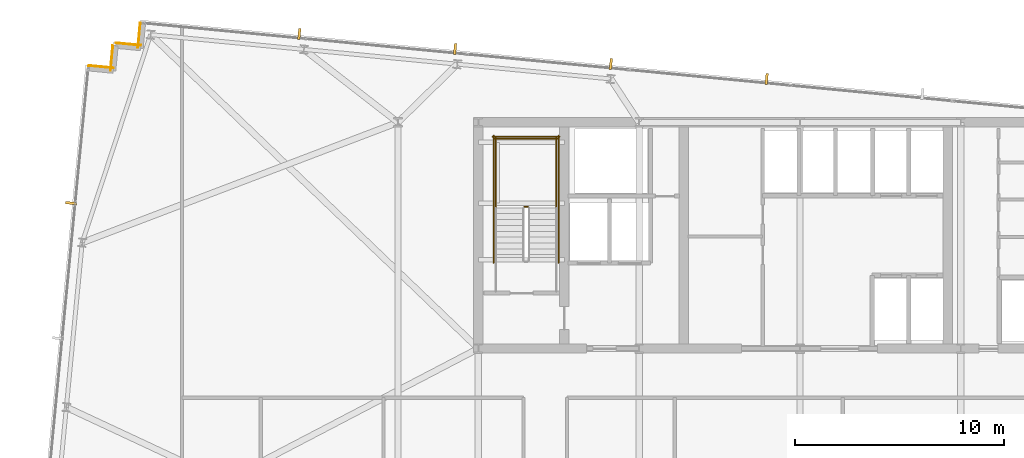
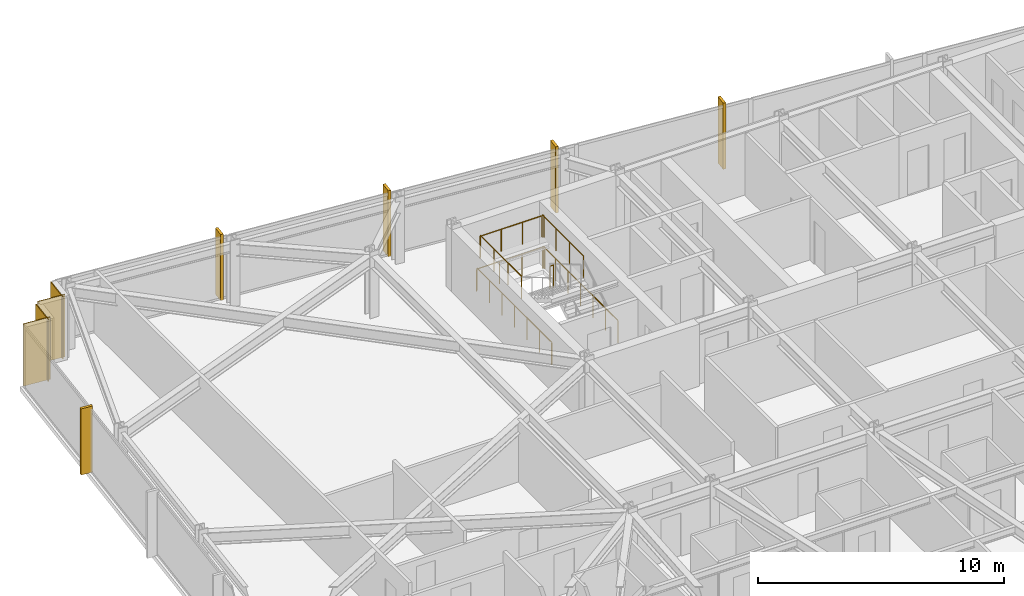
# One storey, part 36 of 37: 7 railings, 5 shading devices, 4 coverings.
"""IFC4 building model written with IfcOpenShell, lengths in metres."""

from ifc_helpers import new_model, si_unit, direction, frame, frame_2d, origin, origin_2d, place, context, subcontext, project, spatial, rectangle, circle, extrude, material, layer, layer_set, type_object, element, save


model = new_model("IFC4")

# Units and contexts
model_context = context("Model", 3, precision=1e-05, world=origin(), true_north=direction((0.0, 1.0)))
body_context = subcontext(model_context, "Body", "Model", "MODEL_VIEW")
ifc_project = project(units=[si_unit("LENGTHUNIT", "METRE"), si_unit("AREAUNIT", "SQUARE_METRE"), si_unit("VOLUMEUNIT", "CUBIC_METRE"), si_unit("PLANEANGLEUNIT", "RADIAN"), si_unit("MASSUNIT", "GRAM", prefix="KILO")], contexts=[model_context])

# Site, building, storey
site_placement = place(None, origin())
site = spatial("IfcSite", under=ifc_project, at=site_placement, CompositionType="ELEMENT")
building_placement = place(site_placement, origin())
building = spatial("IfcBuilding", under=site, at=building_placement, Name="Yelkora Congress Tower", CompositionType="ELEMENT")
storey_placement = place(building_placement, frame((0.0, 0.0, 158.89990234375)))
storey = spatial("IfcBuildingStorey", under=building, at=storey_placement, Name="L43", CompositionType="ELEMENT", Elevation=158.89990234375)

# Coverings
ifc_material_1 = material(Name="Anatolian bush-hammered limestone", Category="masonry")
ifc_layer_1 = layer(ifc_material_1, 0.0400390625)
ifc_layer_set_1 = layer_set([ifc_layer_1], Name="Anatolian bush-hammered limestone")
covering_type = type_object("IfcCoveringType", Name="COV-CLAD-SPANDREL-40", PredefinedType="CLADDING", material=ifc_layer_set_1)
for number, where, z_axis, x_axis, name in (
    (1, (4.423583984375, 48.9130859375, 0.0), (0.0, 0.0, 1.0), (0.995398960025, -0.095817067274, 0.0), "L43 Anatolian Limestone Cladding EW-L43-SR06"),
    (2, (5.470703125, 48.676513671875, 0.0), (0.0, 0.0, 1.0), (0.095817067274, 0.995398960025, 0.0), "L43 Anatolian Limestone Cladding EW-L43-SR07"),
):
    element("IfcCovering", number, at=place(storey_placement, frame(where, z_axis=z_axis, x_axis=x_axis)), inside=storey, type_object=covering_type, Name=name, PredefinedType="CLADDING", context=body_context, shape_type="SweptSolid", body=[
        extrude(rectangle(XDim=1.2001953125, YDim=0.0400390625, at=frame_2d((0.60009765625, 0.0))), origin(), (0.0, 0.0, 1.0), 3.080078125),
    ])
covering_1_placement = place(storey_placement, frame((5.733154296875, 49.992431640625, 0.0), z_axis=(0.0, 0.0, 1.0), x_axis=(0.995397091755, -0.095836473879, 0.0)))
element("IfcCovering", 3, at=covering_1_placement, inside=storey, type_object=covering_type, Name="L43 Anatolian Limestone Cladding EW-L43-SR08", PredefinedType="CLADDING", context=body_context, shape_type="SweptSolid", body=[
    extrude(rectangle(XDim=1.199951171875, YDim=0.0400390625, at=frame_2d((0.60009765625, 0.0))), origin(), (0.0, 0.0, 1.0), 3.080078125),
])
covering_2_placement = place(storey_placement, frame((6.780029296875, 49.756103515625, 0.0), z_axis=(0.0, 0.0, 1.0), x_axis=(0.096018626938, 0.995379537303, 0.0)))
element("IfcCovering", 4, at=covering_2_placement, inside=storey, type_object=covering_type, Name="L43 Anatolian Limestone Cladding EW-L43-SR09", PredefinedType="CLADDING", context=body_context, shape_type="SweptSolid", body=[
    extrude(rectangle(XDim=1.2001953125, YDim=0.0400390625, at=frame_2d((0.60009765625, 0.0))), origin(), (0.0, 0.0, 1.0), 3.080078125),
])

# Railings
ifc_material_2 = material(Name="Painted galvanised steel stair well guard with vertical infill", Category="steel")
ifc_layer_2 = layer(ifc_material_2, 0.06005859375)
ifc_layer_set_2 = layer_set([ifc_layer_2], Name="Painted galvanised steel stair well guard with vertical infill")
railing_type = type_object("IfcRailingType", Name="RAIL-STAIR-GUARD-1120", PredefinedType="GUARDRAIL", material=ifc_layer_set_2)
railing_1_placement = place(storey_placement, frame((25.39990234375, 42.169921875, 1.650146484375)))
element("IfcRailing", 5, at=railing_1_placement, inside=storey, type_object=railing_type, Name="ST-01 L43 Stair Well Guardrail 2", PredefinedType="GUARDRAIL", context=body_context, shape_type="SweptSolid", body=[
    extrude(circle(Radius=0.02392578125, at=origin_2d()), frame((0.0, 0.0, 1.09619140625), z_axis=(-1.0, 0.0, 0.0), x_axis=(0.0, -1.0, 0.0)), (0.0, 0.0, 1.0), 0.159912109375),
    extrude(circle(Radius=0.02099609375, at=origin_2d()), origin(), (0.0, 0.0, 1.0), 1.072021484375),
    extrude(circle(Radius=0.02099609375, at=origin_2d()), frame((-0.159912109375, 0.0, 0.0)), (0.0, 0.0, 1.0), 1.072021484375),
])
for number, where, name in (
    (6, (26.77001953125, 42.1201171875, 1.650146484375), "ST-01 L43 Stair Well Guardrail 3"),
    (7, (23.8701171875, 42.1201171875, 1.650146484375), "ST-01 L43 Stair Well Guardrail 4"),
):
    element("IfcRailing", number, at=place(storey_placement, frame(where)), inside=storey, type_object=railing_type, Name=name, PredefinedType="GUARDRAIL", context=body_context, shape_type="SweptSolid", body=[
        extrude(circle(Radius=0.02392578125, at=origin_2d()), frame((0.0, 0.0, 1.09619140625), z_axis=(0.0, 1.0, 0.0), x_axis=(-1.0, 0.0, 0.0)), (0.0, 0.0, 1.0), 3.349853515625),
        extrude(circle(Radius=0.02099609375, at=origin_2d()), origin(), (0.0, 0.0, 1.0), 1.072021484375),
        extrude(circle(Radius=0.02099609375, at=origin_2d()), frame((0.0, 1.11669921875, 0.0)), (0.0, 0.0, 1.0), 1.072021484375),
        extrude(circle(Radius=0.02099609375, at=origin_2d()), frame((0.0, 2.233154296875, 0.0)), (0.0, 0.0, 1.0), 1.072021484375),
        extrude(circle(Radius=0.02099609375, at=origin_2d()), frame((0.0, 3.349853515625, 0.0)), (0.0, 0.0, 1.0), 1.072021484375),
    ])
railing_2_placement = place(storey_placement, frame((26.820068359375, 45.419921875, 1.650146484375)))
element("IfcRailing", 8, at=railing_2_placement, inside=storey, type_object=railing_type, Name="ST-01 L43 Stair Well Guardrail 5", PredefinedType="GUARDRAIL", context=body_context, shape_type="SweptSolid", body=[
    extrude(circle(Radius=0.02392578125, at=origin_2d()), frame((0.0, 0.0, 1.09619140625), z_axis=(-1.0, 0.0, 0.0), x_axis=(0.0, -1.0, 0.0)), (0.0, 0.0, 1.0), 3.0),
    extrude(circle(Radius=0.02099609375, at=origin_2d()), origin(), (0.0, 0.0, 1.0), 1.072021484375),
    extrude(circle(Radius=0.02099609375, at=origin_2d()), frame((-1.0, 0.0, 0.0)), (0.0, 0.0, 1.0), 1.072021484375),
    extrude(circle(Radius=0.02099609375, at=origin_2d()), frame((-2.0, 0.0, 0.0)), (0.0, 0.0, 1.0), 1.072021484375),
    extrude(circle(Radius=0.02099609375, at=origin_2d()), frame((-3.0, 0.0, 0.0)), (0.0, 0.0, 1.0), 1.072021484375),
])
for number, where, name in (
    (9, (26.8701171875, 39.5, 0.0), "ST-01 L43 Stair Well Guardrail 10"),
    (10, (23.77001953125, 39.5, 0.0), "ST-01 L43 Stair Well Guardrail 11"),
):
    element("IfcRailing", number, at=place(storey_placement, frame(where)), inside=storey, type_object=railing_type, Name=name, PredefinedType="GUARDRAIL", context=body_context, shape_type="SweptSolid", body=[
        extrude(circle(Radius=0.02392578125, at=origin_2d()), frame((0.0, 0.0, 1.09619140625), z_axis=(0.0, 1.0, 0.0), x_axis=(-1.0, 0.0, 0.0)), (0.0, 0.0, 1.0), 6.070068359375),
        extrude(circle(Radius=0.02099609375, at=origin_2d()), origin(), (0.0, 0.0, 1.0), 1.072021484375),
        extrude(circle(Radius=0.02099609375, at=origin_2d()), frame((0.0, 1.01171875, 0.0)), (0.0, 0.0, 1.0), 1.072021484375),
        extrude(circle(Radius=0.02099609375, at=origin_2d()), frame((0.0, 2.0234375, 0.0)), (0.0, 0.0, 1.0), 1.072021484375),
        extrude(circle(Radius=0.02099609375, at=origin_2d()), frame((0.0, 3.03515625, 0.0)), (0.0, 0.0, 1.0), 1.072021484375),
        extrude(circle(Radius=0.02099609375, at=origin_2d()), frame((0.0, 4.046630859375, 0.0)), (0.0, 0.0, 1.0), 1.072021484375),
        extrude(circle(Radius=0.02099609375, at=origin_2d()), frame((0.0, 5.058349609375, 0.0)), (0.0, 0.0, 1.0), 1.072021484375),
        extrude(circle(Radius=0.02099609375, at=origin_2d()), frame((0.0, 6.070068359375, 0.0)), (0.0, 0.0, 1.0), 1.072021484375),
    ])
railing_3_placement = place(storey_placement, frame((26.919921875, 45.52001953125, 0.0)))
element("IfcRailing", 11, at=railing_3_placement, inside=storey, type_object=railing_type, Name="ST-01 L43 Stair Well Guardrail 12", PredefinedType="GUARDRAIL", context=body_context, shape_type="SweptSolid", body=[
    extrude(circle(Radius=0.02392578125, at=origin_2d()), frame((0.0, 0.0, 1.09619140625), z_axis=(-1.0, 0.0, 0.0), x_axis=(0.0, -1.0, 0.0)), (0.0, 0.0, 1.0), 3.199951171875),
    extrude(circle(Radius=0.02099609375, at=origin_2d()), origin(), (0.0, 0.0, 1.0), 1.072021484375),
    extrude(circle(Radius=0.02099609375, at=origin_2d()), frame((-1.066650390625, 0.0, 0.0)), (0.0, 0.0, 1.0), 1.072021484375),
    extrude(circle(Radius=0.02099609375, at=origin_2d()), frame((-2.13330078125, 0.0, 0.0)), (0.0, 0.0, 1.0), 1.072021484375),
    extrude(circle(Radius=0.02099609375, at=origin_2d()), frame((-3.199951171875, 0.0, 0.0)), (0.0, 0.0, 1.0), 1.072021484375),
])

# Shading devices
ifc_material_3 = material(Name="Champagne anodised aluminium", Category="aluminium")
ifc_layer_3 = layer(ifc_material_3, 3.300048828125)
ifc_layer_set_3 = layer_set([ifc_layer_3], Name="Champagne anodised aluminium")
shading_device_type = type_object("IfcShadingDeviceType", Name="SHD-FIN-ALU-520", PredefinedType="USERDEFINED", material=ifc_layer_set_3)
for number, where, z_axis, x_axis, name in (
    (12, (3.590087890625, 42.34375, -0.02978515625), (0.0, 0.0, 1.0), (0.09584575252, 0.995396198367, 0.0), "L43 Vertical Anodised Solar Fin 5-4"),
    (13, (14.48876953125, 50.42041015625, -0.02978515625), (0.0, 0.0, 1.0), (0.995396198367, -0.09584575252, 0.0), "L43 Vertical Anodised Solar Fin 10-1"),
    (14, (21.928466796875, 49.703857421875, -0.02978515625), (0.0, 0.0, 1.0), (0.995396198367, -0.09584575252, 0.0), "L43 Vertical Anodised Solar Fin 10-2"),
    (15, (29.368408203125, 48.987548828125, -0.02978515625), (0.0, 0.0, 1.0), (0.995396198367, -0.09584575252, 0.0), "L43 Vertical Anodised Solar Fin 10-3"),
    (16, (36.808349609375, 48.271240234375, -0.02978515625), (0.0, 0.0, 1.0), (0.995396198367, -0.09584575252, 0.0), "L43 Vertical Anodised Solar Fin 10-4"),
):
    element("IfcShadingDevice", number, at=place(storey_placement, frame(where, z_axis=z_axis, x_axis=x_axis)), inside=storey, type_object=shading_device_type, Name=name, ObjectType="FIN", PredefinedType="USERDEFINED", context=body_context, shape_type="SweptSolid", body=[
        extrude(rectangle(XDim=0.1201171875, YDim=0.52001953125, at=origin_2d()), origin(), (0.0, 0.0, 1.0), 3.280029296875),
    ])

save(model, "model.ifc")
